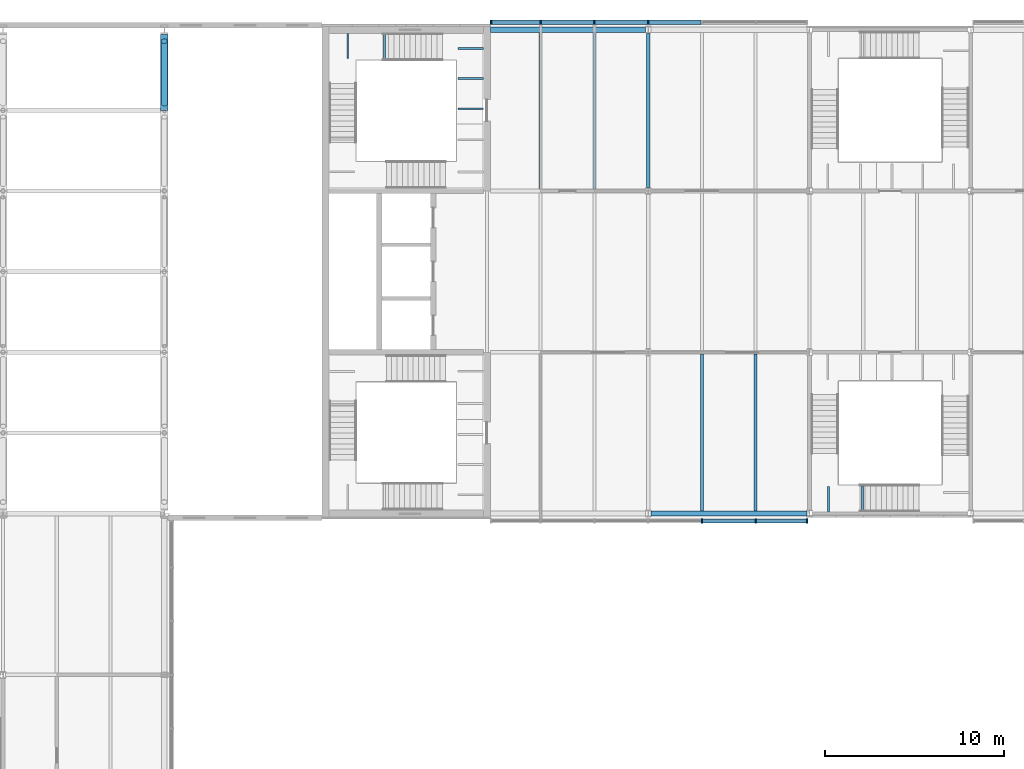
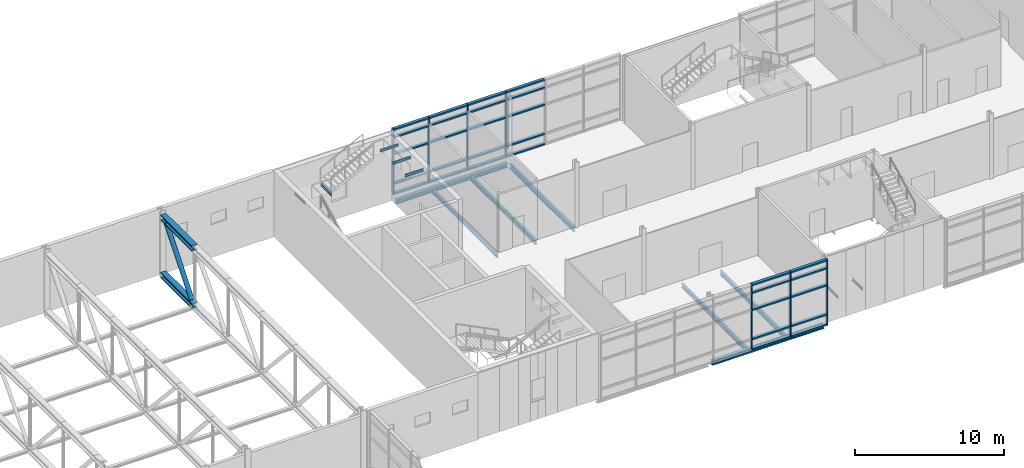
# One storey, part 24 of 53: 38 members, 16 beams, 2 elements without a shape of their own.
"""IFC4 building model written with IfcOpenShell, lengths in metres."""

import ifcopenshell
import ifcopenshell.guid

model = None  # the IFC model being written
_history = None  # IfcOwnerHistory: only IFC2X3 demands one
_inside = {}  # id of a spatial element -> (the spatial element, [elements in it])
_under = {}  # id of a project, library or spatial element -> (it, [spatial elements below it])
_declared = {}  # id of a project -> (the project, [libraries it declares])
_typed = {}  # id of a type object -> (the type object, [elements of that type])
_made_of = {}  # id of a material, layer set ... -> (it, [elements and type objects made of it])


def new_model(schema):
    """Start an empty IFC model of exactly this schema.

    Asked for "IFC4X3", IfcOpenShell would pick the latest addendum, in which some entities
    have other attributes; the version numbers below select the first issue.
    IFC2X3 requires an IfcOwnerHistory on every rooted entity: one is made here for all.
    """
    global model, _history
    if schema == "IFC4X3":
        model = ifcopenshell.file(schema_version=(4, 3, 0, 0))
    else:
        model = ifcopenshell.file(schema=schema)
    _inside.clear()
    _under.clear()
    _declared.clear()
    _typed.clear()
    _made_of.clear()
    _history = None
    if model.schema == "IFC2X3":
        org = make("IfcOrganization", Name="unknown")
        user = make(
            "IfcPersonAndOrganization",
            ThePerson=make("IfcPerson", FamilyName="unknown"),
            TheOrganization=org,
        )
        app = make(
            "IfcApplication",
            ApplicationDeveloper=org,
            Version="unknown",
            ApplicationFullName="unknown",
            ApplicationIdentifier="unknown",
        )
        _history = make(
            "IfcOwnerHistory",
            OwningUser=user,
            OwningApplication=app,
            ChangeAction="ADDED",
            CreationDate=0,
        )
    return model


def make(cls, **values):
    """One entity of the class cls with the attributes given. An attribute that is None is left unset."""
    return model.create_entity(
        cls, **{name: value for name, value in values.items() if value is not None}
    )


def rooted(cls, **values):
    """An entity with a GlobalId (a new one), such as an element, a storey or a relation."""
    return make(cls, GlobalId=ifcopenshell.guid.new(), OwnerHistory=_history, **values)


def si_unit(unit_type, name, prefix=None):
    """IfcSIUnit, for example si_unit("LENGTHUNIT", "METRE", prefix="MILLI")."""
    return make("IfcSIUnit", UnitType=unit_type, Prefix=prefix, Name=name)


def assignment(units):
    """IfcUnitAssignment: the units of a project."""
    return None if units is None else make("IfcUnitAssignment", Units=units)


def point(xyz):
    """IfcCartesianPoint."""
    return None if xyz is None else make("IfcCartesianPoint", Coordinates=xyz)


def direction(xyz):
    """IfcDirection."""
    return None if xyz is None else make("IfcDirection", DirectionRatios=xyz)


def frame(location, z_axis=None, x_axis=None):
    """IfcAxis2Placement3D, a coordinate frame: its origin and axes. An axis left out is left unset."""
    return make(
        "IfcAxis2Placement3D",
        Location=point(location),
        Axis=direction(z_axis),
        RefDirection=direction(x_axis),
    )


def frame_2d(location, x_axis=None):
    """IfcAxis2Placement2D, a coordinate frame in the plane: its origin and x axis."""
    return make(
        "IfcAxis2Placement2D", Location=point(location), RefDirection=direction(x_axis)
    )


def origin():
    """The frame at (0, 0, 0) with its axes left unset."""
    return frame((0.0, 0.0, 0.0))


def origin_2d():
    """The frame at (0, 0) in the plane with its x axis left unset."""
    return frame_2d((0.0, 0.0))


def place(relative_to, where):
    """IfcLocalPlacement: puts the frame where relative to a parent placement (None: the world)."""
    return make(
        "IfcLocalPlacement", PlacementRelTo=relative_to, RelativePlacement=where
    )


def context(
    kind, dimensions, precision=None, world=None, true_north=None, identifier=None
):
    """IfcGeometricRepresentationContext, for example the 3D "Model" context."""
    return make(
        "IfcGeometricRepresentationContext",
        ContextIdentifier=identifier,
        ContextType=kind,
        CoordinateSpaceDimension=dimensions,
        Precision=precision,
        WorldCoordinateSystem=world,
        TrueNorth=true_north,
    )


def subcontext(parent, identifier, kind, view, scale=None):
    """IfcGeometricRepresentationSubContext, for example "Body" below "Model"."""
    return make(
        "IfcGeometricRepresentationSubContext",
        ContextIdentifier=identifier,
        ContextType=kind,
        ParentContext=parent,
        TargetScale=scale,
        TargetView=view,
    )


def project(units=None, contexts=None):
    """IfcProject with its units and contexts."""
    return rooted(
        "IfcProject",
        Name="project",
        RepresentationContexts=contexts,
        UnitsInContext=assignment(units),
    )


def spatial(cls, under=None, at=None, **own):
    """A site, building, storey or space (cls), placed at a placement, below another one or the project."""
    s = rooted(cls, ObjectPlacement=at, **own)
    if under is not None:
        _under.setdefault(under.id(), (under, []))[1].append(s)
    return s


def profile(cls, at=None, kind="AREA", **sizes):
    """A parametric profile (cls). Its sizes go by their IFC names, for example OverallWidth=200.0."""
    return make(cls, ProfileType=kind, Position=at, **sizes)


def rectangle(**sizes):
    """IfcRectangleProfileDef."""
    return profile("IfcRectangleProfileDef", **sizes)


def hollow_circle(**sizes):
    """IfcCircleHollowProfileDef."""
    return profile("IfcCircleHollowProfileDef", **sizes)


def i_section(**sizes):
    """IfcIShapeProfileDef."""
    return profile("IfcIShapeProfileDef", **sizes)


def extrude(swept, where, along, depth):
    """IfcExtrudedAreaSolid: the profile swept, set in the frame where, extruded along a direction by depth."""
    return make(
        "IfcExtrudedAreaSolid",
        SweptArea=swept,
        Position=where,
        ExtrudedDirection=direction(along),
        Depth=depth,
    )


def shape(context_of_items, identifier, shape_type, items):
    """IfcShapeRepresentation: the items that make up one representation, for example the "Body"."""
    return make(
        "IfcShapeRepresentation",
        ContextOfItems=context_of_items,
        RepresentationIdentifier=identifier,
        RepresentationType=shape_type,
        Items=items,
    )


def material(Name=None, Category=None):
    """IfcMaterial."""
    return make("IfcMaterial", Name=Name, Category=Category)


def material_profile(
    of_material, cross_section, Name=None, Category=None, Priority=None
):
    """IfcMaterialProfile: a cross section and its material."""
    return make(
        "IfcMaterialProfile",
        Name=Name,
        Material=of_material,
        Profile=cross_section,
        Priority=Priority,
        Category=Category,
    )


def profile_set(profiles, Name=None, composite=None):
    """IfcMaterialProfileSet."""
    return make(
        "IfcMaterialProfileSet",
        Name=Name,
        MaterialProfiles=profiles,
        CompositeProfile=composite,
    )


def made_of(thing, what):
    """Note that an element or type object is made of a material, layer set ...; save() writes the relation."""
    if what is not None:
        _made_of.setdefault(what.id(), (what, []))[1].append(thing)
    return thing


def type_object(cls, material=None, **own):
    """A type object (cls), such as IfcWallType, which elements share."""
    return made_of(rooted(cls, **own), material)


def element(
    cls,
    number,
    at=None,
    inside=None,
    cuts=None,
    type_object=None,
    material=None,
    context=None,
    identifier="Body",
    shape_type=None,
    held_by="IfcProductDefinitionShape",
    body=None,
    shapes=None,
    **own,
):
    """One element of the class cls, such as IfcWall. Its Tag is "e" and its number.

    at: its placement. inside: the storey or other place that contains it. cuts: it is an
    opening in that element (IfcRelVoidsElement). A single representation is given by context,
    identifier, shape_type and body (its items); several are given by shapes. held_by: the class
    of the entity that holds the representations. save() writes the other relations.
    """
    e = rooted(cls, Tag="e%d" % number, ObjectPlacement=at, **own)
    if body is not None:
        shapes = [shape(context, identifier, shape_type, body)]
    if shapes is not None:
        e.Representation = make(held_by, Representations=shapes)
    if inside is not None:
        _inside.setdefault(inside.id(), (inside, []))[1].append(e)
    if cuts is not None:
        rooted(
            "IfcRelVoidsElement", RelatingBuildingElement=cuts, RelatedOpeningElement=e
        )
    if type_object is not None:
        _typed.setdefault(type_object.id(), (type_object, []))[1].append(e)
    return made_of(e, material)


def aggregate(whole, parts):
    """IfcRelAggregates: a whole, such as a stair, and the parts it consists of."""
    return rooted("IfcRelAggregates", RelatingObject=whole, RelatedObjects=parts)


def save(model, path):
    """Write the relations noted so far, then the file.

    IfcRelAggregates (storeys below a building ...), IfcRelContainedInSpatialStructure (elements
    in a storey), IfcRelDefinesByType, IfcRelAssociatesMaterial and IfcRelDeclares: one each for
    every whole, place, type object, material and project.
    """
    for whole, parts in _under.values():
        aggregate(whole, parts)
    for where, things in _inside.values():
        rooted(
            "IfcRelContainedInSpatialStructure",
            RelatedElements=things,
            RelatingStructure=where,
        )
    for kind, things in _typed.values():
        rooted("IfcRelDefinesByType", RelatedObjects=things, RelatingType=kind)
    for what, things in _made_of.values():
        rooted("IfcRelAssociatesMaterial", RelatedObjects=things, RelatingMaterial=what)
    for by, libraries in _declared.values():
        rooted("IfcRelDeclares", RelatingContext=by, RelatedDefinitions=libraries)
    model.write(path)


model = new_model("IFC4")

# Units and contexts
model_context = context("Model", 3, precision=1e-05, world=origin(), true_north=direction((0.0, 1.0)))
body_context = subcontext(model_context, "Body", "Model", "MODEL_VIEW")
ifc_project = project(units=[si_unit("LENGTHUNIT", "METRE"), si_unit("AREAUNIT", "SQUARE_METRE"), si_unit("VOLUMEUNIT", "CUBIC_METRE"), si_unit("PLANEANGLEUNIT", "RADIAN"), si_unit("MASSUNIT", "GRAM", prefix="KILO")], contexts=[model_context])

# Site, building, storey
site_placement = place(None, origin())
site = spatial("IfcSite", under=ifc_project, at=site_placement, CompositionType="ELEMENT")
building_placement = place(site_placement, origin())
building = spatial("IfcBuilding", under=site, at=building_placement, Name="Azimuth Sports and Learning Centre", CompositionType="ELEMENT")
storey_placement = place(building_placement, frame((0.0, 0.0, 10.800048828125)))
storey = spatial("IfcBuildingStorey", under=building, at=storey_placement, Name="L02", CompositionType="ELEMENT", Elevation=10.800048828125)

# Beams
ifc_material_1 = material(Name="Steel S355", Category="steel")
ifc_material_profile_1 = material_profile(ifc_material_1, i_section(OverallWidth=0.10009765625, OverallDepth=0.199951171875, WebThickness=0.005615234375, FlangeThickness=0.008544921875, FilletRadius=0.011962890625, at=origin_2d()), Name="IPE 200")
ifc_profile_set_1 = profile_set([ifc_material_profile_1], Name="Steel S355")
beam_type_1 = type_object("IfcBeamType", Name="Beam IPE 200", PredefinedType="BEAM", material=ifc_profile_set_1)
for number, where, z_axis, x_axis, name in (
    (1, (109.235107421875, 116.800048828125, 3.300048828125), (0.0, -1.0, 0.0), (1.0, 0.0, 0.0), "Landing bracket E2 L02 555"),
    (2, (111.284912109375, 116.800048828125, 3.300048828125), (0.0, -1.0, 0.0), (1.0, 0.0, 0.0), "Landing bracket E2 L02 556"),
    (3, (116.800048828125, 112.590087890625, 5.099853515625), (-1.0, 0.0, 0.0), (0.0, -1.0, 0.0), "Landing bracket E2 L02 557"),
    (4, (116.800048828125, 114.27001953125, 5.099853515625), (-1.0, 0.0, 0.0), (0.0, -1.0, 0.0), "Landing bracket E2 L02 558"),
    (5, (116.800048828125, 115.949951171875, 5.099853515625), (-1.0, 0.0, 0.0), (0.0, -1.0, 0.0), "Landing bracket E2 L02 559"),
):
    element("IfcBeam", number, at=place(storey_placement, frame(where, z_axis=z_axis, x_axis=x_axis)), inside=storey, type_object=beam_type_1, Name=name, PredefinedType="BEAM", context=body_context, shape_type="SweptSolid", body=[
        extrude(i_section(OverallWidth=0.10009765625, OverallDepth=0.199951171875, WebThickness=0.005615234375, FlangeThickness=0.008544921875, FilletRadius=0.011962890625, at=origin_2d()), origin(), (0.0, 0.0, 1.0), 1.41015625),
    ])
for number, where, z_axis, x_axis, name in (
    (6, (136.06005859375, 90.10009765625, 1.5), (0.0, 1.0, 0.0), (-1.0, 0.0, 0.0), "Landing bracket EM1 L02 935"),
    (7, (137.9599609375, 90.10009765625, 1.5), (0.0, 1.0, 0.0), (-1.0, 0.0, 0.0), "Landing bracket EM1 L02 936"),
):
    element("IfcBeam", number, at=place(storey_placement, frame(where, z_axis=z_axis, x_axis=x_axis)), inside=storey, type_object=beam_type_1, Name=name, PredefinedType="BEAM", context=body_context, shape_type="SweptSolid", body=[
        extrude(i_section(OverallWidth=0.10009765625, OverallDepth=0.199951171875, WebThickness=0.005615234375, FlangeThickness=0.008544921875, FilletRadius=0.011962890625, at=origin_2d()), origin(), (0.0, 0.0, 1.0), 1.409912109375),
    ])
ifc_material_2 = material(Name="Steel S355", Category="steel")
ifc_material_profile_2 = material_profile(ifc_material_2, i_section(OverallWidth=0.179931640625, OverallDepth=0.39990234375, WebThickness=0.008544921875, FlangeThickness=0.013427734375, FilletRadius=0.02099609375, at=origin_2d()), Name="IPE 400")
ifc_profile_set_2 = profile_set([ifc_material_profile_2], Name="Steel S355")
beam_type_2 = type_object("IfcBeamType", Name="Beam IPE 400", PredefinedType="BEAM", material=ifc_profile_set_2)
beam_1_placement = place(storey_placement, frame((126.0, 108.199951171875, -0.35009765625), z_axis=(0.0, 1.0, 0.0), x_axis=(-1.0, 0.0, 0.0)))
element("IfcBeam", 8, at=beam_1_placement, inside=storey, type_object=beam_type_2, Name="Beam L02 WE 20", PredefinedType="BEAM", context=body_context, shape_type="SweptSolid", body=[
    extrude(i_section(OverallWidth=0.179931640625, OverallDepth=0.39990234375, WebThickness=0.008544921875, FlangeThickness=0.013427734375, FilletRadius=0.02099609375, at=origin_2d()), origin(), (0.0, 0.0, 1.0), 8.60009765625),
])
ifc_material_3 = material(Name="Steel S355", Category="steel")
ifc_material_profile_3 = material_profile(ifc_material_3, i_section(OverallWidth=0.300048828125, OverallDepth=0.330078125, WebThickness=0.009521484375, FlangeThickness=0.0166015625, FilletRadius=0.027099609375, at=origin_2d()), Name="HEA 340")
ifc_profile_set_3 = profile_set([ifc_material_profile_3], Name="Steel S355")
beam_type_3 = type_object("IfcBeamType", Name="Edge beam HEA 340", PredefinedType="SPANDREL", material=ifc_profile_set_3)
beam_2_placement = place(storey_placement, frame((126.14990234375, 90.0, -0.31494140625), z_axis=(1.0, 0.0, 0.0), x_axis=(0.0, 1.0, 0.0)))
element("IfcBeam", 9, at=beam_2_placement, inside=storey, type_object=beam_type_3, Name="Edge beam L02 WE 2", PredefinedType="SPANDREL", context=body_context, shape_type="SweptSolid", body=[
    extrude(i_section(OverallWidth=0.300048828125, OverallDepth=0.330078125, WebThickness=0.009521484375, FlangeThickness=0.0166015625, FilletRadius=0.027099609375, at=origin_2d()), origin(), (0.0, 0.0, 1.0), 8.7001953125),
])
beam_3_placement = place(storey_placement, frame((117.199951171875, 117.0, -0.31494140625), z_axis=(1.0, 0.0, 0.0), x_axis=(0.0, 1.0, 0.0)))
element("IfcBeam", 10, at=beam_3_placement, inside=storey, type_object=beam_type_3, Name="Edge beam L02 WE 13", PredefinedType="SPANDREL", context=body_context, shape_type="SweptSolid", body=[
    extrude(i_section(OverallWidth=0.300048828125, OverallDepth=0.330078125, WebThickness=0.009521484375, FlangeThickness=0.0166015625, FilletRadius=0.027099609375, at=origin_2d()), origin(), (0.0, 0.0, 1.0), 8.650146484375),
])
ifc_material_4 = material(Name="Steel S355", Category="steel")
ifc_material_profile_4 = material_profile(ifc_material_4, i_section(OverallWidth=0.169921875, OverallDepth=0.360107421875, WebThickness=0.008056640625, FlangeThickness=0.0126953125, FilletRadius=0.01806640625, at=origin_2d()), Name="IPE 360")
ifc_profile_set_4 = profile_set([ifc_material_profile_4], Name="Steel S355")
beam_type_4 = type_object("IfcBeamType", Name="Joist IPE 360", PredefinedType="JOIST", material=ifc_profile_set_4)
for number, where, z_axis, x_axis, name in (
    (11, (120.0, 108.10498046875, -0.330078125), (0.0, 1.0, 0.0), (-1.0, 0.0, 0.0), "Joist L02 WE 29"),
    (12, (123.0, 108.10498046875, -0.330078125), (0.0, 1.0, 0.0), (-1.0, 0.0, 0.0), "Joist L02 WE 32"),
    (13, (129.0, 90.14990234375, -0.330078125), (0.0, 1.0, 0.0), (-1.0, 0.0, 0.0), "Joist L02 WE 33"),
    (14, (132.0, 90.14990234375, -0.330078125), (0.0, 1.0, 0.0), (-1.0, 0.0, 0.0), "Joist L02 WE 36"),
):
    element("IfcBeam", number, at=place(storey_placement, frame(where, z_axis=z_axis, x_axis=x_axis)), inside=storey, type_object=beam_type_4, Name=name, PredefinedType="JOIST", context=body_context, shape_type="SweptSolid", body=[
        extrude(i_section(OverallWidth=0.169921875, OverallDepth=0.360107421875, WebThickness=0.008056640625, FlangeThickness=0.0126953125, FilletRadius=0.01806640625, at=origin_2d()), origin(), (0.0, 0.0, 1.0), 8.7451171875),
    ])

# Curtain wall, members
ifc_material_5 = material(Name="Aluminium and glass", Category="aluminium")
curtain_wall_type = type_object("IfcCurtainWallType", Name="Curtain wall podium wing 240", PredefinedType="NOTDEFINED", material=ifc_material_5)
curtain_wall_1_placement = place(storey_placement, origin())
curtain_wall_1 = element("IfcCurtainWall", 15, at=curtain_wall_1_placement, inside=storey, type_object=curtain_wall_type, Name="Curtain wall CW02-009", PredefinedType="NOTDEFINED")
ifc_material_6 = material(Name="Aluminium", Category="aluminium")
ifc_material_profile_5 = material_profile(ifc_material_6, rectangle(XDim=0.239990234375, YDim=0.080078125, at=origin_2d()), Name="Mullion 80x240")
ifc_profile_set_5 = profile_set([ifc_material_profile_5], Name="Aluminium")
member_type_1 = type_object("IfcMemberType", Name="Mullion 80x240", PredefinedType="MULLION", material=ifc_profile_set_5)
member_1_placement = place(storey_placement, frame((129.0, 89.580078125, 0.0), z_axis=(0.0, 0.0, 1.0), x_axis=(0.0, 1.0, 0.0)))
member_1 = element("IfcMember", 16, at=member_1_placement, type_object=member_type_1, Name="CW02-009 mullion 5", PredefinedType="MULLION", context=body_context, shape_type="SweptSolid", body=[
    extrude(rectangle(XDim=0.239990234375, YDim=0.080078125, at=origin_2d()), origin(), (0.0, 0.0, 1.0), 5.39990234375),
])
member_2_placement = place(storey_placement, frame((132.0, 89.580078125, 0.0), z_axis=(0.0, 0.0, 1.0), x_axis=(0.0, 1.0, 0.0)))
member_2 = element("IfcMember", 17, at=member_2_placement, type_object=member_type_1, Name="CW02-009 mullion 6", PredefinedType="MULLION", context=body_context, shape_type="SweptSolid", body=[
    extrude(rectangle(XDim=0.239990234375, YDim=0.080078125, at=origin_2d()), origin(), (0.0, 0.0, 1.0), 5.39990234375),
])
member_3_placement = place(storey_placement, frame((134.860107421875, 89.580078125, 0.0), z_axis=(0.0, 0.0, 1.0), x_axis=(0.0, 1.0, 0.0)))
member_3 = element("IfcMember", 18, at=member_3_placement, type_object=member_type_1, Name="CW02-009 mullion 7", PredefinedType="MULLION", context=body_context, shape_type="SweptSolid", body=[
    extrude(rectangle(XDim=0.239990234375, YDim=0.080078125, at=origin_2d()), origin(), (0.0, 0.0, 1.0), 5.39990234375),
])

curtain_wall_2_placement = place(storey_placement, origin())
curtain_wall_2 = element("IfcCurtainWall", 19, at=curtain_wall_2_placement, inside=storey, type_object=curtain_wall_type, Name="Curtain wall CW02-012", PredefinedType="NOTDEFINED")
member_4_placement = place(storey_placement, frame((126.0, 117.419921875, 0.0), z_axis=(0.0, 0.0, 1.0), x_axis=(0.0, -1.0, 0.0)))
member_4 = element("IfcMember", 20, at=member_4_placement, type_object=member_type_1, Name="CW02-012 mullion 4", PredefinedType="MULLION", context=body_context, shape_type="SweptSolid", body=[
    extrude(rectangle(XDim=0.239990234375, YDim=0.080078125, at=origin_2d()), origin(), (0.0, 0.0, 1.0), 5.39990234375),
])
member_5_placement = place(storey_placement, frame((123.0, 117.419921875, 0.0), z_axis=(0.0, 0.0, 1.0), x_axis=(0.0, -1.0, 0.0)))
member_5 = element("IfcMember", 21, at=member_5_placement, type_object=member_type_1, Name="CW02-012 mullion 5", PredefinedType="MULLION", context=body_context, shape_type="SweptSolid", body=[
    extrude(rectangle(XDim=0.239990234375, YDim=0.080078125, at=origin_2d()), origin(), (0.0, 0.0, 1.0), 5.39990234375),
])
member_6_placement = place(storey_placement, frame((120.0, 117.419921875, 0.0), z_axis=(0.0, 0.0, 1.0), x_axis=(0.0, -1.0, 0.0)))
member_6 = element("IfcMember", 22, at=member_6_placement, type_object=member_type_1, Name="CW02-012 mullion 6", PredefinedType="MULLION", context=body_context, shape_type="SweptSolid", body=[
    extrude(rectangle(XDim=0.239990234375, YDim=0.080078125, at=origin_2d()), origin(), (0.0, 0.0, 1.0), 5.39990234375),
])
member_7_placement = place(storey_placement, frame((117.239990234375, 117.419921875, 0.0), z_axis=(0.0, 0.0, 1.0), x_axis=(0.0, -1.0, 0.0)))
member_7 = element("IfcMember", 23, at=member_7_placement, type_object=member_type_1, Name="CW02-012 mullion 7", PredefinedType="MULLION", context=body_context, shape_type="SweptSolid", body=[
    extrude(rectangle(XDim=0.239990234375, YDim=0.080078125, at=origin_2d()), origin(), (0.0, 0.0, 1.0), 5.39990234375),
])

# Member
ifc_material_7 = material(Name="Aluminium", Category="aluminium")
ifc_material_profile_6 = material_profile(ifc_material_7, rectangle(XDim=0.239990234375, YDim=0.1201171875, at=origin_2d()), Name="Transom 120x240")
ifc_profile_set_6 = profile_set([ifc_material_profile_6], Name="Aluminium")
member_type_2 = type_object("IfcMemberType", Name="Transom 120x240", PredefinedType="USERDEFINED", material=ifc_profile_set_6)
member_8_placement = place(storey_placement, frame((129.0400390625, 89.580078125, 0.06005859375), z_axis=(1.0, 0.0, 0.0), x_axis=(0.0, 1.0, 0.0)))
member_8 = element("IfcMember", 24, at=member_8_placement, type_object=member_type_2, Name="CW02-009 transom 5.1", ObjectType="TRANSOM", PredefinedType="USERDEFINED", context=body_context, shape_type="SweptSolid", body=[
    extrude(rectangle(XDim=0.239990234375, YDim=0.1201171875, at=origin_2d()), origin(), (0.0, 0.0, 1.0), 2.919921875),
])

member_9_placement = place(storey_placement, frame((129.0400390625, 89.580078125, 0.89990234375), z_axis=(1.0, 0.0, 0.0), x_axis=(0.0, 1.0, 0.0)))
member_9 = element("IfcMember", 25, at=member_9_placement, type_object=member_type_2, Name="CW02-009 transom 5.2", ObjectType="TRANSOM", PredefinedType="USERDEFINED", context=body_context, shape_type="SweptSolid", body=[
    extrude(rectangle(XDim=0.239990234375, YDim=0.1201171875, at=origin_2d()), origin(), (0.0, 0.0, 1.0), 2.919921875),
])

member_10_placement = place(storey_placement, frame((129.0400390625, 89.580078125, 3.300048828125), z_axis=(1.0, 0.0, 0.0), x_axis=(0.0, 1.0, 0.0)))
member_10 = element("IfcMember", 26, at=member_10_placement, type_object=member_type_2, Name="CW02-009 transom 5.3", ObjectType="TRANSOM", PredefinedType="USERDEFINED", context=body_context, shape_type="SweptSolid", body=[
    extrude(rectangle(XDim=0.239990234375, YDim=0.1201171875, at=origin_2d()), origin(), (0.0, 0.0, 1.0), 2.919921875),
])

member_11_placement = place(storey_placement, frame((129.0400390625, 89.580078125, 4.699951171875), z_axis=(1.0, 0.0, 0.0), x_axis=(0.0, 1.0, 0.0)))
member_11 = element("IfcMember", 27, at=member_11_placement, type_object=member_type_2, Name="CW02-009 transom 5.4", ObjectType="TRANSOM", PredefinedType="USERDEFINED", context=body_context, shape_type="SweptSolid", body=[
    extrude(rectangle(XDim=0.239990234375, YDim=0.1201171875, at=origin_2d()), origin(), (0.0, 0.0, 1.0), 2.919921875),
])

member_12_placement = place(storey_placement, frame((129.0400390625, 89.580078125, 5.33984375), z_axis=(1.0, 0.0, 0.0), x_axis=(0.0, 1.0, 0.0)))
member_12 = element("IfcMember", 28, at=member_12_placement, type_object=member_type_2, Name="CW02-009 transom 5.5", ObjectType="TRANSOM", PredefinedType="USERDEFINED", context=body_context, shape_type="SweptSolid", body=[
    extrude(rectangle(XDim=0.239990234375, YDim=0.1201171875, at=origin_2d()), origin(), (0.0, 0.0, 1.0), 2.919921875),
])

member_13_placement = place(storey_placement, frame((132.0400390625, 89.580078125, 0.06005859375), z_axis=(1.0, 0.0, 0.0), x_axis=(0.0, 1.0, 0.0)))
member_13 = element("IfcMember", 29, at=member_13_placement, type_object=member_type_2, Name="CW02-009 transom 6.1", ObjectType="TRANSOM", PredefinedType="USERDEFINED", context=body_context, shape_type="SweptSolid", body=[
    extrude(rectangle(XDim=0.239990234375, YDim=0.1201171875, at=origin_2d()), origin(), (0.0, 0.0, 1.0), 2.780029296875),
])

member_14_placement = place(storey_placement, frame((132.0400390625, 89.580078125, 0.89990234375), z_axis=(1.0, 0.0, 0.0), x_axis=(0.0, 1.0, 0.0)))
member_14 = element("IfcMember", 30, at=member_14_placement, type_object=member_type_2, Name="CW02-009 transom 6.2", ObjectType="TRANSOM", PredefinedType="USERDEFINED", context=body_context, shape_type="SweptSolid", body=[
    extrude(rectangle(XDim=0.239990234375, YDim=0.1201171875, at=origin_2d()), origin(), (0.0, 0.0, 1.0), 2.780029296875),
])

member_15_placement = place(storey_placement, frame((132.0400390625, 89.580078125, 3.300048828125), z_axis=(1.0, 0.0, 0.0), x_axis=(0.0, 1.0, 0.0)))
member_15 = element("IfcMember", 31, at=member_15_placement, type_object=member_type_2, Name="CW02-009 transom 6.3", ObjectType="TRANSOM", PredefinedType="USERDEFINED", context=body_context, shape_type="SweptSolid", body=[
    extrude(rectangle(XDim=0.239990234375, YDim=0.1201171875, at=origin_2d()), origin(), (0.0, 0.0, 1.0), 2.780029296875),
])

member_16_placement = place(storey_placement, frame((132.0400390625, 89.580078125, 4.699951171875), z_axis=(1.0, 0.0, 0.0), x_axis=(0.0, 1.0, 0.0)))
member_16 = element("IfcMember", 32, at=member_16_placement, type_object=member_type_2, Name="CW02-009 transom 6.4", ObjectType="TRANSOM", PredefinedType="USERDEFINED", context=body_context, shape_type="SweptSolid", body=[
    extrude(rectangle(XDim=0.239990234375, YDim=0.1201171875, at=origin_2d()), origin(), (0.0, 0.0, 1.0), 2.780029296875),
])

member_17_placement = place(storey_placement, frame((132.0400390625, 89.580078125, 5.33984375), z_axis=(1.0, 0.0, 0.0), x_axis=(0.0, 1.0, 0.0)))
member_17 = element("IfcMember", 33, at=member_17_placement, type_object=member_type_2, Name="CW02-009 transom 6.5", ObjectType="TRANSOM", PredefinedType="USERDEFINED", context=body_context, shape_type="SweptSolid", body=[
    extrude(rectangle(XDim=0.239990234375, YDim=0.1201171875, at=origin_2d()), origin(), (0.0, 0.0, 1.0), 2.780029296875),
])

aggregate(curtain_wall_1, [member_1, member_2, member_3, member_8, member_9, member_10, member_11, member_12, member_13, member_14, member_15, member_16, member_17])

member_18_placement = place(storey_placement, frame((128.9599609375, 117.419921875, 0.06005859375), z_axis=(-1.0, 0.0, 0.0), x_axis=(0.0, -1.0, 0.0)))
member_18 = element("IfcMember", 34, at=member_18_placement, type_object=member_type_2, Name="CW02-012 transom 3.1", ObjectType="TRANSOM", PredefinedType="USERDEFINED", context=body_context, shape_type="SweptSolid", body=[
    extrude(rectangle(XDim=0.239990234375, YDim=0.1201171875, at=origin_2d()), origin(), (0.0, 0.0, 1.0), 2.919921875),
])

member_19_placement = place(storey_placement, frame((128.9599609375, 117.419921875, 0.89990234375), z_axis=(-1.0, 0.0, 0.0), x_axis=(0.0, -1.0, 0.0)))
member_19 = element("IfcMember", 35, at=member_19_placement, type_object=member_type_2, Name="CW02-012 transom 3.2", ObjectType="TRANSOM", PredefinedType="USERDEFINED", context=body_context, shape_type="SweptSolid", body=[
    extrude(rectangle(XDim=0.239990234375, YDim=0.1201171875, at=origin_2d()), origin(), (0.0, 0.0, 1.0), 2.919921875),
])

member_20_placement = place(storey_placement, frame((128.9599609375, 117.419921875, 3.300048828125), z_axis=(-1.0, 0.0, 0.0), x_axis=(0.0, -1.0, 0.0)))
member_20 = element("IfcMember", 36, at=member_20_placement, type_object=member_type_2, Name="CW02-012 transom 3.3", ObjectType="TRANSOM", PredefinedType="USERDEFINED", context=body_context, shape_type="SweptSolid", body=[
    extrude(rectangle(XDim=0.239990234375, YDim=0.1201171875, at=origin_2d()), origin(), (0.0, 0.0, 1.0), 2.919921875),
])

member_21_placement = place(storey_placement, frame((128.9599609375, 117.419921875, 4.699951171875), z_axis=(-1.0, 0.0, 0.0), x_axis=(0.0, -1.0, 0.0)))
member_21 = element("IfcMember", 37, at=member_21_placement, type_object=member_type_2, Name="CW02-012 transom 3.4", ObjectType="TRANSOM", PredefinedType="USERDEFINED", context=body_context, shape_type="SweptSolid", body=[
    extrude(rectangle(XDim=0.239990234375, YDim=0.1201171875, at=origin_2d()), origin(), (0.0, 0.0, 1.0), 2.919921875),
])

member_22_placement = place(storey_placement, frame((128.9599609375, 117.419921875, 5.33984375), z_axis=(-1.0, 0.0, 0.0), x_axis=(0.0, -1.0, 0.0)))
member_22 = element("IfcMember", 38, at=member_22_placement, type_object=member_type_2, Name="CW02-012 transom 3.5", ObjectType="TRANSOM", PredefinedType="USERDEFINED", context=body_context, shape_type="SweptSolid", body=[
    extrude(rectangle(XDim=0.239990234375, YDim=0.1201171875, at=origin_2d()), origin(), (0.0, 0.0, 1.0), 2.919921875),
])

member_23_placement = place(storey_placement, frame((125.9599609375, 117.419921875, 0.06005859375), z_axis=(-1.0, 0.0, 0.0), x_axis=(0.0, -1.0, 0.0)))
member_23 = element("IfcMember", 39, at=member_23_placement, type_object=member_type_2, Name="CW02-012 transom 4.1", ObjectType="TRANSOM", PredefinedType="USERDEFINED", context=body_context, shape_type="SweptSolid", body=[
    extrude(rectangle(XDim=0.239990234375, YDim=0.1201171875, at=origin_2d()), origin(), (0.0, 0.0, 1.0), 2.919921875),
])

member_24_placement = place(storey_placement, frame((125.9599609375, 117.419921875, 0.89990234375), z_axis=(-1.0, 0.0, 0.0), x_axis=(0.0, -1.0, 0.0)))
member_24 = element("IfcMember", 40, at=member_24_placement, type_object=member_type_2, Name="CW02-012 transom 4.2", ObjectType="TRANSOM", PredefinedType="USERDEFINED", context=body_context, shape_type="SweptSolid", body=[
    extrude(rectangle(XDim=0.239990234375, YDim=0.1201171875, at=origin_2d()), origin(), (0.0, 0.0, 1.0), 2.919921875),
])

member_25_placement = place(storey_placement, frame((125.9599609375, 117.419921875, 3.300048828125), z_axis=(-1.0, 0.0, 0.0), x_axis=(0.0, -1.0, 0.0)))
member_25 = element("IfcMember", 41, at=member_25_placement, type_object=member_type_2, Name="CW02-012 transom 4.3", ObjectType="TRANSOM", PredefinedType="USERDEFINED", context=body_context, shape_type="SweptSolid", body=[
    extrude(rectangle(XDim=0.239990234375, YDim=0.1201171875, at=origin_2d()), origin(), (0.0, 0.0, 1.0), 2.919921875),
])

member_26_placement = place(storey_placement, frame((125.9599609375, 117.419921875, 4.699951171875), z_axis=(-1.0, 0.0, 0.0), x_axis=(0.0, -1.0, 0.0)))
member_26 = element("IfcMember", 42, at=member_26_placement, type_object=member_type_2, Name="CW02-012 transom 4.4", ObjectType="TRANSOM", PredefinedType="USERDEFINED", context=body_context, shape_type="SweptSolid", body=[
    extrude(rectangle(XDim=0.239990234375, YDim=0.1201171875, at=origin_2d()), origin(), (0.0, 0.0, 1.0), 2.919921875),
])

member_27_placement = place(storey_placement, frame((125.9599609375, 117.419921875, 5.33984375), z_axis=(-1.0, 0.0, 0.0), x_axis=(0.0, -1.0, 0.0)))
member_27 = element("IfcMember", 43, at=member_27_placement, type_object=member_type_2, Name="CW02-012 transom 4.5", ObjectType="TRANSOM", PredefinedType="USERDEFINED", context=body_context, shape_type="SweptSolid", body=[
    extrude(rectangle(XDim=0.239990234375, YDim=0.1201171875, at=origin_2d()), origin(), (0.0, 0.0, 1.0), 2.919921875),
])

member_28_placement = place(storey_placement, frame((122.9599609375, 117.419921875, 0.06005859375), z_axis=(-1.0, 0.0, 0.0), x_axis=(0.0, -1.0, 0.0)))
member_28 = element("IfcMember", 44, at=member_28_placement, type_object=member_type_2, Name="CW02-012 transom 5.1", ObjectType="TRANSOM", PredefinedType="USERDEFINED", context=body_context, shape_type="SweptSolid", body=[
    extrude(rectangle(XDim=0.239990234375, YDim=0.1201171875, at=origin_2d()), origin(), (0.0, 0.0, 1.0), 2.919921875),
])

member_29_placement = place(storey_placement, frame((122.9599609375, 117.419921875, 0.89990234375), z_axis=(-1.0, 0.0, 0.0), x_axis=(0.0, -1.0, 0.0)))
member_29 = element("IfcMember", 45, at=member_29_placement, type_object=member_type_2, Name="CW02-012 transom 5.2", ObjectType="TRANSOM", PredefinedType="USERDEFINED", context=body_context, shape_type="SweptSolid", body=[
    extrude(rectangle(XDim=0.239990234375, YDim=0.1201171875, at=origin_2d()), origin(), (0.0, 0.0, 1.0), 2.919921875),
])

member_30_placement = place(storey_placement, frame((122.9599609375, 117.419921875, 3.300048828125), z_axis=(-1.0, 0.0, 0.0), x_axis=(0.0, -1.0, 0.0)))
member_30 = element("IfcMember", 46, at=member_30_placement, type_object=member_type_2, Name="CW02-012 transom 5.3", ObjectType="TRANSOM", PredefinedType="USERDEFINED", context=body_context, shape_type="SweptSolid", body=[
    extrude(rectangle(XDim=0.239990234375, YDim=0.1201171875, at=origin_2d()), origin(), (0.0, 0.0, 1.0), 2.919921875),
])

member_31_placement = place(storey_placement, frame((122.9599609375, 117.419921875, 4.699951171875), z_axis=(-1.0, 0.0, 0.0), x_axis=(0.0, -1.0, 0.0)))
member_31 = element("IfcMember", 47, at=member_31_placement, type_object=member_type_2, Name="CW02-012 transom 5.4", ObjectType="TRANSOM", PredefinedType="USERDEFINED", context=body_context, shape_type="SweptSolid", body=[
    extrude(rectangle(XDim=0.239990234375, YDim=0.1201171875, at=origin_2d()), origin(), (0.0, 0.0, 1.0), 2.919921875),
])

member_32_placement = place(storey_placement, frame((122.9599609375, 117.419921875, 5.33984375), z_axis=(-1.0, 0.0, 0.0), x_axis=(0.0, -1.0, 0.0)))
member_32 = element("IfcMember", 48, at=member_32_placement, type_object=member_type_2, Name="CW02-012 transom 5.5", ObjectType="TRANSOM", PredefinedType="USERDEFINED", context=body_context, shape_type="SweptSolid", body=[
    extrude(rectangle(XDim=0.239990234375, YDim=0.1201171875, at=origin_2d()), origin(), (0.0, 0.0, 1.0), 2.919921875),
])

member_33_placement = place(storey_placement, frame((119.9599609375, 117.419921875, 0.06005859375), z_axis=(-1.0, 0.0, 0.0), x_axis=(0.0, -1.0, 0.0)))
member_33 = element("IfcMember", 49, at=member_33_placement, type_object=member_type_2, Name="CW02-012 transom 6.1", ObjectType="TRANSOM", PredefinedType="USERDEFINED", context=body_context, shape_type="SweptSolid", body=[
    extrude(rectangle(XDim=0.239990234375, YDim=0.1201171875, at=origin_2d()), origin(), (0.0, 0.0, 1.0), 2.679931640625),
])

member_34_placement = place(storey_placement, frame((119.9599609375, 117.419921875, 0.89990234375), z_axis=(-1.0, 0.0, 0.0), x_axis=(0.0, -1.0, 0.0)))
member_34 = element("IfcMember", 50, at=member_34_placement, type_object=member_type_2, Name="CW02-012 transom 6.2", ObjectType="TRANSOM", PredefinedType="USERDEFINED", context=body_context, shape_type="SweptSolid", body=[
    extrude(rectangle(XDim=0.239990234375, YDim=0.1201171875, at=origin_2d()), origin(), (0.0, 0.0, 1.0), 2.679931640625),
])

member_35_placement = place(storey_placement, frame((119.9599609375, 117.419921875, 3.300048828125), z_axis=(-1.0, 0.0, 0.0), x_axis=(0.0, -1.0, 0.0)))
member_35 = element("IfcMember", 51, at=member_35_placement, type_object=member_type_2, Name="CW02-012 transom 6.3", ObjectType="TRANSOM", PredefinedType="USERDEFINED", context=body_context, shape_type="SweptSolid", body=[
    extrude(rectangle(XDim=0.239990234375, YDim=0.1201171875, at=origin_2d()), origin(), (0.0, 0.0, 1.0), 2.679931640625),
])

member_36_placement = place(storey_placement, frame((119.9599609375, 117.419921875, 4.699951171875), z_axis=(-1.0, 0.0, 0.0), x_axis=(0.0, -1.0, 0.0)))
member_36 = element("IfcMember", 52, at=member_36_placement, type_object=member_type_2, Name="CW02-012 transom 6.4", ObjectType="TRANSOM", PredefinedType="USERDEFINED", context=body_context, shape_type="SweptSolid", body=[
    extrude(rectangle(XDim=0.239990234375, YDim=0.1201171875, at=origin_2d()), origin(), (0.0, 0.0, 1.0), 2.679931640625),
])

member_37_placement = place(storey_placement, frame((119.9599609375, 117.419921875, 5.33984375), z_axis=(-1.0, 0.0, 0.0), x_axis=(0.0, -1.0, 0.0)))
member_37 = element("IfcMember", 53, at=member_37_placement, type_object=member_type_2, Name="CW02-012 transom 6.5", ObjectType="TRANSOM", PredefinedType="USERDEFINED", context=body_context, shape_type="SweptSolid", body=[
    extrude(rectangle(XDim=0.239990234375, YDim=0.1201171875, at=origin_2d()), origin(), (0.0, 0.0, 1.0), 2.679931640625),
])

aggregate(curtain_wall_2, [member_4, member_5, member_6, member_7, member_18, member_19, member_20, member_21, member_22, member_23, member_24, member_25, member_26, member_27, member_28, member_29, member_30, member_31, member_32, member_33, member_34, member_35, member_36, member_37])

# Beams
ifc_material_8 = material(Name="Steel S460", Category="steel")
ifc_material_profile_7 = material_profile(ifc_material_8, i_section(OverallWidth=0.41796875, OverallDepth=0.455078125, WebThickness=0.0419921875, FlangeThickness=0.067626953125, FilletRadius=0.014892578125, at=origin_2d()), Name="HD 400x551")
ifc_profile_set_7 = profile_set([ifc_material_profile_7], Name="Steel S460")
beam_type_5 = type_object("IfcBeamType", Name="Truss chord HD 400x551", PredefinedType="USERDEFINED", material=ifc_profile_set_7)
for number, where, z_axis, x_axis, name in (
    (54, (99.0, 112.5, 4.952392578125), (0.0, 1.0, 0.0), (-1.0, 0.0, 0.0), "Floor truss FT-4 top chord 6"),
    (55, (99.0, 112.5, 0.2275390625), (0.0, 1.0, 0.0), (-1.0, 0.0, 0.0), "Floor truss FT-4 bottom chord 6"),
):
    element("IfcBeam", number, at=place(storey_placement, frame(where, z_axis=z_axis, x_axis=x_axis)), inside=storey, type_object=beam_type_5, Name=name, ObjectType="TRUSS CHORD", PredefinedType="USERDEFINED", context=body_context, shape_type="SweptSolid", body=[
        extrude(i_section(OverallWidth=0.41796875, OverallDepth=0.455078125, WebThickness=0.0419921875, FlangeThickness=0.067626953125, FilletRadius=0.014892578125, at=origin_2d()), origin(), (0.0, 0.0, 1.0), 4.242919921875),
    ])

# Member
ifc_material_9 = material(Name="Steel S355", Category="steel")
ifc_material_profile_8 = material_profile(ifc_material_9, hollow_circle(Radius=0.177734375, WallThickness=0.01611328125, at=origin_2d()), Name="CHS 355.6x16.0")
ifc_profile_set_8 = profile_set([ifc_material_profile_8], Name="Steel S355")
member_type_3 = type_object("IfcMemberType", Name="Truss diagonal CHS 355.6x16.0", PredefinedType="BRACE", material=ifc_profile_set_8)
member_38_placement = place(storey_placement, frame((99.0, 116.35791015625, 4.724853515625), z_axis=(0.0, -0.63097662628, -0.77580184138), x_axis=(1.0, 0.0, 0.0)))
element("IfcMember", 56, at=member_38_placement, inside=storey, type_object=member_type_3, Name="Floor truss FT-4 diagonal 6", PredefinedType="BRACE", context=body_context, shape_type="SweptSolid", body=[
    extrude(hollow_circle(Radius=0.177734375, WallThickness=0.01611328125, at=origin_2d()), origin(), (0.0, 0.0, 1.0), 5.50390625),
])

save(model, "model.ifc")
